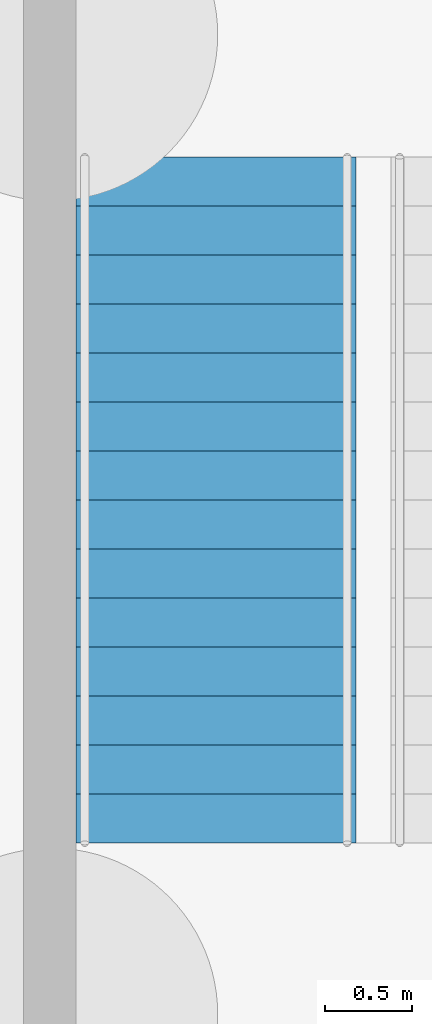
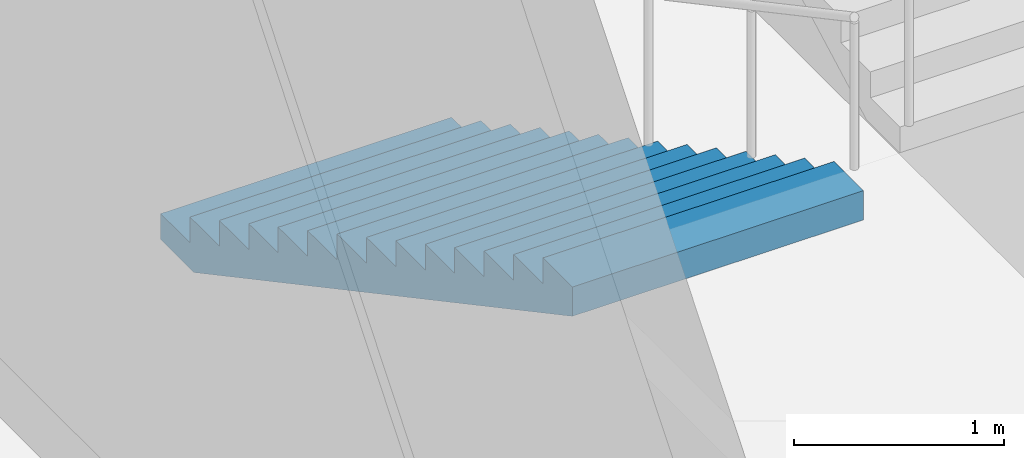
# One storey, part 88 of 113: 1 stair flight, 1 element without a shape of its own.
"""IFC4 building model written with IfcOpenShell, lengths in metres."""

from ifc_helpers import new_model, si_unit, direction, frame, origin, place, context, subcontext, project, spatial, triangles, material, type_object, element, aggregate, save


model = new_model("IFC4")

# Units and contexts
model_context = context("Model", 3, precision=1e-05, world=origin(), true_north=direction((0.0, 1.0)))
body_context = subcontext(model_context, "Body", "Model", "MODEL_VIEW")
ifc_project = project(units=[si_unit("LENGTHUNIT", "METRE"), si_unit("AREAUNIT", "SQUARE_METRE"), si_unit("VOLUMEUNIT", "CUBIC_METRE"), si_unit("PLANEANGLEUNIT", "RADIAN"), si_unit("MASSUNIT", "GRAM", prefix="KILO")], contexts=[model_context])

# Site, building, storey
site_placement = place(None, origin())
site = spatial("IfcSite", under=ifc_project, at=site_placement, CompositionType="ELEMENT")
building_placement = place(site_placement, origin())
building = spatial("IfcBuilding", under=site, at=building_placement, Name="Hakoniwa Tower and Hamabe Station Hall", CompositionType="ELEMENT")
storey_placement = place(building_placement, origin())
storey = spatial("IfcBuildingStorey", under=building, at=storey_placement, Name="L01", CompositionType="ELEMENT", Elevation=0.0)

# Stair, stair flight
ifc_material_1 = material(Name="Concrete C40", Category="concrete")
stair_type = type_object("IfcStairType", Name="STAIR 1600 15X150", PredefinedType="HALF_TURN_STAIR", material=ifc_material_1)
stair_placement = place(storey_placement, origin())
stair = element("IfcStair", 1, at=stair_placement, inside=storey, type_object=stair_type, Name="Escape stair SS3 L01", PredefinedType="HALF_TURN_STAIR")
ifc_material_2 = material(Name="Concrete C40", Category="concrete")
stair_flight_type = type_object("IfcStairFlightType", Name="STAIR FLIGHT 1600", PredefinedType="STRAIGHT", material=ifc_material_2)
stair_flight_placement = place(storey_placement, frame((87.449951171875, -16.89990234375, 0.0), z_axis=(0.0, 0.0, 1.0), x_axis=(0.0, -1.0, 0.0)))
stair_flight = element("IfcStairFlight", 2, at=stair_flight_placement, type_object=stair_flight_type, Name="SS3 flight 1", NumberOfRisers=15, NumberOfTreads=14, PredefinedType="STRAIGHT", RiserHeight=0.15, TreadLength=0.28, context=body_context, shape_type="Tessellation", body=[
    triangles([(0.0, 0.800048828125, 0.0), (0.280029296875, 0.800048828125, 0.0), (0.3173828125, 0.800048828125, 0.0), (0.56005859375, 0.800048828125, 0.1298828125), (0.840087890625, 0.800048828125, 0.280029296875), (1.1201171875, 0.800048828125, 0.429931640625), (1.39990234375, 0.800048828125, 0.579833984375), (1.679931640625, 0.800048828125, 0.72998046875), (1.9599609375, 0.800048828125, 0.8798828125), (2.239990234375, 0.800048828125, 1.030029296875), (2.52001953125, 0.800048828125, 1.179931640625), (2.800048828125, 0.800048828125, 1.329833984375), (3.080078125, 0.800048828125, 1.47998046875), (3.360107421875, 0.800048828125, 1.6298828125), (3.639892578125, 0.800048828125, 1.780029296875), (3.919921875, 0.800048828125, 1.929931640625), (3.919921875, 0.800048828125, 2.10009765625), (3.639892578125, 0.800048828125, 2.10009765625), (3.639892578125, 0.800048828125, 1.949951171875), (3.360107421875, 0.800048828125, 1.949951171875), (3.360107421875, 0.800048828125, 1.800048828125), (3.080078125, 0.800048828125, 1.800048828125), (3.080078125, 0.800048828125, 1.64990234375), (2.800048828125, 0.800048828125, 1.64990234375), (2.800048828125, 0.800048828125, 1.5), (2.52001953125, 0.800048828125, 1.5), (2.52001953125, 0.800048828125, 1.35009765625), (2.239990234375, 0.800048828125, 1.35009765625), (2.239990234375, 0.800048828125, 1.199951171875), (1.9599609375, 0.800048828125, 1.199951171875), (1.9599609375, 0.800048828125, 1.050048828125), (1.679931640625, 0.800048828125, 1.050048828125), (1.679931640625, 0.800048828125, 0.89990234375), (1.39990234375, 0.800048828125, 0.89990234375), (1.39990234375, 0.800048828125, 0.75), (1.1201171875, 0.800048828125, 0.75), (1.1201171875, 0.800048828125, 0.60009765625), (0.840087890625, 0.800048828125, 0.60009765625), (0.840087890625, 0.800048828125, 0.449951171875), (0.56005859375, 0.800048828125, 0.449951171875), (0.56005859375, 0.800048828125, 0.300048828125), (0.3173828125, 0.800048828125, 0.300048828125), (0.280029296875, 0.800048828125, 0.300048828125), (0.280029296875, 0.800048828125, 0.14990234375), (0.0, 0.800048828125, 0.14990234375), (0.0, 0.06005859375, 0.0), (0.280029296875, 0.06005859375, 0.0), (0.3173828125, 0.06005859375, 0.0), (0.56005859375, 0.06005859375, 0.1298828125), (0.840087890625, 0.06005859375, 0.280029296875), (1.1201171875, 0.06005859375, 0.429931640625), (1.39990234375, 0.06005859375, 0.579833984375), (1.679931640625, 0.06005859375, 0.72998046875), (1.9599609375, 0.06005859375, 0.8798828125), (2.239990234375, 0.06005859375, 1.030029296875), (2.52001953125, 0.06005859375, 1.179931640625), (2.800048828125, 0.06005859375, 1.329833984375), (3.080078125, 0.06005859375, 1.47998046875), (3.360107421875, 0.06005859375, 1.6298828125), (3.639892578125, 0.06005859375, 1.780029296875), (3.919921875, 0.06005859375, 1.929931640625), (3.919921875, 0.06005859375, 2.10009765625), (3.639892578125, 0.06005859375, 2.10009765625), (3.639892578125, 0.06005859375, 1.949951171875), (3.360107421875, 0.06005859375, 1.949951171875), (3.360107421875, 0.06005859375, 1.800048828125), (3.080078125, 0.06005859375, 1.800048828125), (3.080078125, 0.06005859375, 1.64990234375), (2.800048828125, 0.06005859375, 1.64990234375), (2.800048828125, 0.06005859375, 1.5), (2.52001953125, 0.06005859375, 1.5), (2.52001953125, 0.06005859375, 1.35009765625), (2.239990234375, 0.06005859375, 1.35009765625), (2.239990234375, 0.06005859375, 1.199951171875), (1.9599609375, 0.06005859375, 1.199951171875), (1.9599609375, 0.06005859375, 1.050048828125), (1.679931640625, 0.06005859375, 1.050048828125), (1.679931640625, 0.06005859375, 0.89990234375), (1.39990234375, 0.06005859375, 0.89990234375), (1.39990234375, 0.06005859375, 0.75), (1.1201171875, 0.06005859375, 0.75), (1.1201171875, 0.06005859375, 0.60009765625), (0.840087890625, 0.06005859375, 0.60009765625), (0.840087890625, 0.06005859375, 0.449951171875), (0.56005859375, 0.06005859375, 0.449951171875), (0.56005859375, 0.06005859375, 0.300048828125), (0.3173828125, 0.06005859375, 0.300048828125), (0.280029296875, 0.06005859375, 0.300048828125), (0.280029296875, 0.06005859375, 0.14990234375), (0.0, 0.06005859375, 0.14990234375), (0.0, 0.02001953125, 0.0), (0.280029296875, 0.02001953125, 0.0), (0.3173828125, 0.02001953125, 0.0), (0.56005859375, 0.02001953125, 0.1298828125), (0.840087890625, 0.02001953125, 0.280029296875), (1.1201171875, 0.02001953125, 0.429931640625), (1.39990234375, 0.02001953125, 0.579833984375), (1.679931640625, 0.02001953125, 0.72998046875), (1.9599609375, 0.02001953125, 0.8798828125), (2.239990234375, 0.02001953125, 1.030029296875), (2.52001953125, 0.02001953125, 1.179931640625), (2.800048828125, 0.02001953125, 1.329833984375), (3.080078125, 0.02001953125, 1.47998046875), (3.360107421875, 0.02001953125, 1.6298828125), (3.639892578125, 0.02001953125, 1.780029296875), (3.919921875, 0.02001953125, 1.929931640625), (3.919921875, 0.02001953125, 2.10009765625), (3.639892578125, 0.02001953125, 2.10009765625), (3.639892578125, 0.02001953125, 1.949951171875), (3.360107421875, 0.02001953125, 1.949951171875), (3.360107421875, 0.02001953125, 1.800048828125), (3.080078125, 0.02001953125, 1.800048828125), (3.080078125, 0.02001953125, 1.64990234375), (2.800048828125, 0.02001953125, 1.64990234375), (2.800048828125, 0.02001953125, 1.5), (2.52001953125, 0.02001953125, 1.5), (2.52001953125, 0.02001953125, 1.35009765625), (2.239990234375, 0.02001953125, 1.35009765625), (2.239990234375, 0.02001953125, 1.199951171875), (1.9599609375, 0.02001953125, 1.199951171875), (1.9599609375, 0.02001953125, 1.050048828125), (1.679931640625, 0.02001953125, 1.050048828125), (1.679931640625, 0.02001953125, 0.89990234375), (1.39990234375, 0.02001953125, 0.89990234375), (1.39990234375, 0.02001953125, 0.75), (1.1201171875, 0.02001953125, 0.75), (1.1201171875, 0.02001953125, 0.60009765625), (0.840087890625, 0.02001953125, 0.60009765625), (0.840087890625, 0.02001953125, 0.449951171875), (0.56005859375, 0.02001953125, 0.449951171875), (0.56005859375, 0.02001953125, 0.300048828125), (0.3173828125, 0.02001953125, 0.300048828125), (0.280029296875, 0.02001953125, 0.300048828125), (0.280029296875, 0.02001953125, 0.14990234375), (0.0, 0.02001953125, 0.14990234375), (0.0, -0.02001953125, 0.0), (0.280029296875, -0.02001953125, 0.0), (0.3173828125, -0.02001953125, 0.0), (0.56005859375, -0.02001953125, 0.1298828125), (0.840087890625, -0.02001953125, 0.280029296875), (1.1201171875, -0.02001953125, 0.429931640625), (1.39990234375, -0.02001953125, 0.579833984375), (1.679931640625, -0.02001953125, 0.72998046875), (1.9599609375, -0.02001953125, 0.8798828125), (2.239990234375, -0.02001953125, 1.030029296875), (2.52001953125, -0.02001953125, 1.179931640625), (2.800048828125, -0.02001953125, 1.329833984375), (3.080078125, -0.02001953125, 1.47998046875), (3.360107421875, -0.02001953125, 1.6298828125), (3.639892578125, -0.02001953125, 1.780029296875), (3.919921875, -0.02001953125, 1.929931640625), (3.919921875, -0.02001953125, 2.10009765625), (3.639892578125, -0.02001953125, 2.10009765625), (3.639892578125, -0.02001953125, 1.949951171875), (3.360107421875, -0.02001953125, 1.949951171875), (3.360107421875, -0.02001953125, 1.800048828125), (3.080078125, -0.02001953125, 1.800048828125), (3.080078125, -0.02001953125, 1.64990234375), (2.800048828125, -0.02001953125, 1.64990234375), (2.800048828125, -0.02001953125, 1.5), (2.52001953125, -0.02001953125, 1.5), (2.52001953125, -0.02001953125, 1.35009765625), (2.239990234375, -0.02001953125, 1.35009765625), (2.239990234375, -0.02001953125, 1.199951171875), (1.9599609375, -0.02001953125, 1.199951171875), (1.9599609375, -0.02001953125, 1.050048828125), (1.679931640625, -0.02001953125, 1.050048828125), (1.679931640625, -0.02001953125, 0.89990234375), (1.39990234375, -0.02001953125, 0.89990234375), (1.39990234375, -0.02001953125, 0.75), (1.1201171875, -0.02001953125, 0.75), (1.1201171875, -0.02001953125, 0.60009765625), (0.840087890625, -0.02001953125, 0.60009765625), (0.840087890625, -0.02001953125, 0.449951171875), (0.56005859375, -0.02001953125, 0.449951171875), (0.56005859375, -0.02001953125, 0.300048828125), (0.3173828125, -0.02001953125, 0.300048828125), (0.280029296875, -0.02001953125, 0.300048828125), (0.280029296875, -0.02001953125, 0.14990234375), (0.0, -0.02001953125, 0.14990234375), (0.0, -0.06005859375, 0.0), (0.280029296875, -0.06005859375, 0.0), (0.3173828125, -0.06005859375, 0.0), (0.56005859375, -0.06005859375, 0.1298828125), (0.840087890625, -0.06005859375, 0.280029296875), (1.1201171875, -0.06005859375, 0.429931640625), (1.39990234375, -0.06005859375, 0.579833984375), (1.679931640625, -0.06005859375, 0.72998046875), (1.9599609375, -0.06005859375, 0.8798828125), (2.239990234375, -0.06005859375, 1.030029296875), (2.52001953125, -0.06005859375, 1.179931640625), (2.800048828125, -0.06005859375, 1.329833984375), (3.080078125, -0.06005859375, 1.47998046875), (3.360107421875, -0.06005859375, 1.6298828125), (3.639892578125, -0.06005859375, 1.780029296875), (3.919921875, -0.06005859375, 1.929931640625), (3.919921875, -0.06005859375, 2.10009765625), (3.639892578125, -0.06005859375, 2.10009765625), (3.639892578125, -0.06005859375, 1.949951171875), (3.360107421875, -0.06005859375, 1.949951171875), (3.360107421875, -0.06005859375, 1.800048828125), (3.080078125, -0.06005859375, 1.800048828125), (3.080078125, -0.06005859375, 1.64990234375), (2.800048828125, -0.06005859375, 1.64990234375), (2.800048828125, -0.06005859375, 1.5), (2.52001953125, -0.06005859375, 1.5), (2.52001953125, -0.06005859375, 1.35009765625), (2.239990234375, -0.06005859375, 1.35009765625), (2.239990234375, -0.06005859375, 1.199951171875), (1.9599609375, -0.06005859375, 1.199951171875), (1.9599609375, -0.06005859375, 1.050048828125), (1.679931640625, -0.06005859375, 1.050048828125), (1.679931640625, -0.06005859375, 0.89990234375), (1.39990234375, -0.06005859375, 0.89990234375), (1.39990234375, -0.06005859375, 0.75), (1.1201171875, -0.06005859375, 0.75), (1.1201171875, -0.06005859375, 0.60009765625), (0.840087890625, -0.06005859375, 0.60009765625), (0.840087890625, -0.06005859375, 0.449951171875), (0.56005859375, -0.06005859375, 0.449951171875), (0.56005859375, -0.06005859375, 0.300048828125), (0.3173828125, -0.06005859375, 0.300048828125), (0.280029296875, -0.06005859375, 0.300048828125), (0.280029296875, -0.06005859375, 0.14990234375), (0.0, -0.06005859375, 0.14990234375), (0.0, -0.800048828125, 0.0), (0.280029296875, -0.800048828125, 0.0), (0.3173828125, -0.800048828125, 0.0), (0.56005859375, -0.800048828125, 0.1298828125), (0.840087890625, -0.800048828125, 0.280029296875), (1.1201171875, -0.800048828125, 0.429931640625), (1.39990234375, -0.800048828125, 0.579833984375), (1.679931640625, -0.800048828125, 0.72998046875), (1.9599609375, -0.800048828125, 0.8798828125), (2.239990234375, -0.800048828125, 1.030029296875), (2.52001953125, -0.800048828125, 1.179931640625), (2.800048828125, -0.800048828125, 1.329833984375), (3.080078125, -0.800048828125, 1.47998046875), (3.360107421875, -0.800048828125, 1.6298828125), (3.639892578125, -0.800048828125, 1.780029296875), (3.919921875, -0.800048828125, 1.929931640625), (3.919921875, -0.800048828125, 2.10009765625), (3.639892578125, -0.800048828125, 2.10009765625), (3.639892578125, -0.800048828125, 1.949951171875), (3.360107421875, -0.800048828125, 1.949951171875), (3.360107421875, -0.800048828125, 1.800048828125), (3.080078125, -0.800048828125, 1.800048828125), (3.080078125, -0.800048828125, 1.64990234375), (2.800048828125, -0.800048828125, 1.64990234375), (2.800048828125, -0.800048828125, 1.5), (2.52001953125, -0.800048828125, 1.5), (2.52001953125, -0.800048828125, 1.35009765625), (2.239990234375, -0.800048828125, 1.35009765625), (2.239990234375, -0.800048828125, 1.199951171875), (1.9599609375, -0.800048828125, 1.199951171875), (1.9599609375, -0.800048828125, 1.050048828125), (1.679931640625, -0.800048828125, 1.050048828125), (1.679931640625, -0.800048828125, 0.89990234375), (1.39990234375, -0.800048828125, 0.89990234375), (1.39990234375, -0.800048828125, 0.75), (1.1201171875, -0.800048828125, 0.75), (1.1201171875, -0.800048828125, 0.60009765625), (0.840087890625, -0.800048828125, 0.60009765625), (0.840087890625, -0.800048828125, 0.449951171875), (0.56005859375, -0.800048828125, 0.449951171875), (0.56005859375, -0.800048828125, 0.300048828125), (0.3173828125, -0.800048828125, 0.300048828125), (0.280029296875, -0.800048828125, 0.300048828125), (0.280029296875, -0.800048828125, 0.14990234375), (0.0, -0.800048828125, 0.14990234375)], [[2, 45, 44], [227, 269, 270], [2, 1, 45], [227, 270, 226], [3, 43, 42], [228, 267, 268], [3, 44, 43], [228, 268, 269], [3, 2, 44], [228, 269, 227], [4, 42, 41], [229, 266, 267], [4, 3, 42], [229, 267, 228], [5, 40, 39], [230, 264, 265], [5, 41, 40], [230, 265, 266], [5, 4, 41], [230, 266, 229], [6, 38, 37], [231, 262, 263], [6, 39, 38], [231, 263, 264], [6, 5, 39], [231, 264, 230], [7, 36, 35], [232, 260, 261], [7, 37, 36], [232, 261, 262], [7, 6, 37], [232, 262, 231], [8, 34, 33], [233, 258, 259], [8, 35, 34], [233, 259, 260], [8, 7, 35], [233, 260, 232], [9, 32, 31], [234, 256, 257], [9, 33, 32], [234, 257, 258], [9, 8, 33], [234, 258, 233], [10, 30, 29], [235, 254, 255], [10, 31, 30], [235, 255, 256], [10, 9, 31], [235, 256, 234], [11, 28, 27], [236, 252, 253], [11, 29, 28], [236, 253, 254], [11, 10, 29], [236, 254, 235], [12, 26, 25], [237, 250, 251], [12, 27, 26], [237, 251, 252], [12, 11, 27], [237, 252, 236], [13, 24, 23], [238, 248, 249], [13, 25, 24], [238, 249, 250], [13, 12, 25], [238, 250, 237], [14, 22, 21], [239, 246, 247], [14, 23, 22], [239, 247, 248], [14, 13, 23], [239, 248, 238], [15, 20, 19], [240, 244, 245], [15, 21, 20], [240, 245, 246], [15, 14, 21], [240, 246, 239], [16, 18, 17], [241, 242, 243], [16, 19, 18], [241, 243, 244], [16, 15, 19], [241, 244, 240], [1, 2, 47], [1, 47, 46], [46, 47, 92], [46, 92, 91], [91, 92, 137], [91, 137, 136], [136, 137, 182], [136, 182, 181], [181, 182, 227], [181, 227, 226], [2, 3, 48], [2, 48, 47], [47, 48, 93], [47, 93, 92], [92, 93, 138], [92, 138, 137], [137, 138, 183], [137, 183, 182], [182, 183, 228], [182, 228, 227], [3, 4, 49], [3, 49, 48], [48, 49, 94], [48, 94, 93], [93, 94, 139], [93, 139, 138], [138, 139, 184], [138, 184, 183], [183, 184, 229], [183, 229, 228], [4, 5, 50], [4, 50, 49], [49, 50, 95], [49, 95, 94], [94, 95, 140], [94, 140, 139], [139, 140, 185], [139, 185, 184], [184, 185, 230], [184, 230, 229], [5, 6, 51], [5, 51, 50], [50, 51, 96], [50, 96, 95], [95, 96, 141], [95, 141, 140], [140, 141, 186], [140, 186, 185], [185, 186, 231], [185, 231, 230], [6, 7, 52], [6, 52, 51], [51, 52, 97], [51, 97, 96], [96, 97, 142], [96, 142, 141], [141, 142, 187], [141, 187, 186], [186, 187, 232], [186, 232, 231], [7, 8, 53], [7, 53, 52], [52, 53, 98], [52, 98, 97], [97, 98, 143], [97, 143, 142], [142, 143, 188], [142, 188, 187], [187, 188, 233], [187, 233, 232], [8, 9, 54], [8, 54, 53], [53, 54, 99], [53, 99, 98], [98, 99, 144], [98, 144, 143], [143, 144, 189], [143, 189, 188], [188, 189, 234], [188, 234, 233], [9, 10, 55], [9, 55, 54], [54, 55, 100], [54, 100, 99], [99, 100, 145], [99, 145, 144], [144, 145, 190], [144, 190, 189], [189, 190, 235], [189, 235, 234], [10, 11, 56], [10, 56, 55], [55, 56, 101], [55, 101, 100], [100, 101, 146], [100, 146, 145], [145, 146, 191], [145, 191, 190], [190, 191, 236], [190, 236, 235], [11, 12, 57], [11, 57, 56], [56, 57, 102], [56, 102, 101], [101, 102, 147], [101, 147, 146], [146, 147, 192], [146, 192, 191], [191, 192, 237], [191, 237, 236], [12, 13, 58], [12, 58, 57], [57, 58, 103], [57, 103, 102], [102, 103, 148], [102, 148, 147], [147, 148, 193], [147, 193, 192], [192, 193, 238], [192, 238, 237], [13, 14, 59], [13, 59, 58], [58, 59, 104], [58, 104, 103], [103, 104, 149], [103, 149, 148], [148, 149, 194], [148, 194, 193], [193, 194, 239], [193, 239, 238], [14, 15, 60], [14, 60, 59], [59, 60, 105], [59, 105, 104], [104, 105, 150], [104, 150, 149], [149, 150, 195], [149, 195, 194], [194, 195, 240], [194, 240, 239], [15, 16, 61], [15, 61, 60], [60, 61, 106], [60, 106, 105], [105, 106, 151], [105, 151, 150], [150, 151, 196], [150, 196, 195], [195, 196, 241], [195, 241, 240], [16, 17, 62], [16, 62, 61], [61, 62, 107], [61, 107, 106], [106, 107, 152], [106, 152, 151], [151, 152, 197], [151, 197, 196], [196, 197, 242], [196, 242, 241], [17, 18, 63], [17, 63, 62], [62, 63, 108], [62, 108, 107], [107, 108, 153], [107, 153, 152], [152, 153, 198], [152, 198, 197], [197, 198, 243], [197, 243, 242], [18, 19, 64], [18, 64, 63], [63, 64, 109], [63, 109, 108], [108, 109, 154], [108, 154, 153], [153, 154, 199], [153, 199, 198], [198, 199, 244], [198, 244, 243], [19, 20, 65], [19, 65, 64], [64, 65, 110], [64, 110, 109], [109, 110, 155], [109, 155, 154], [154, 155, 200], [154, 200, 199], [199, 200, 245], [199, 245, 244], [20, 21, 66], [20, 66, 65], [65, 66, 111], [65, 111, 110], [110, 111, 156], [110, 156, 155], [155, 156, 201], [155, 201, 200], [200, 201, 246], [200, 246, 245], [21, 22, 67], [21, 67, 66], [66, 67, 112], [66, 112, 111], [111, 112, 157], [111, 157, 156], [156, 157, 202], [156, 202, 201], [201, 202, 247], [201, 247, 246], [22, 23, 68], [22, 68, 67], [67, 68, 113], [67, 113, 112], [112, 113, 158], [112, 158, 157], [157, 158, 203], [157, 203, 202], [202, 203, 248], [202, 248, 247], [23, 24, 69], [23, 69, 68], [68, 69, 114], [68, 114, 113], [113, 114, 159], [113, 159, 158], [158, 159, 204], [158, 204, 203], [203, 204, 249], [203, 249, 248], [24, 25, 70], [24, 70, 69], [69, 70, 115], [69, 115, 114], [114, 115, 160], [114, 160, 159], [159, 160, 205], [159, 205, 204], [204, 205, 250], [204, 250, 249], [25, 26, 71], [25, 71, 70], [70, 71, 116], [70, 116, 115], [115, 116, 161], [115, 161, 160], [160, 161, 206], [160, 206, 205], [205, 206, 251], [205, 251, 250], [26, 27, 72], [26, 72, 71], [71, 72, 117], [71, 117, 116], [116, 117, 162], [116, 162, 161], [161, 162, 207], [161, 207, 206], [206, 207, 252], [206, 252, 251], [27, 28, 73], [27, 73, 72], [72, 73, 118], [72, 118, 117], [117, 118, 163], [117, 163, 162], [162, 163, 208], [162, 208, 207], [207, 208, 253], [207, 253, 252], [28, 29, 74], [28, 74, 73], [73, 74, 119], [73, 119, 118], [118, 119, 164], [118, 164, 163], [163, 164, 209], [163, 209, 208], [208, 209, 254], [208, 254, 253], [29, 30, 75], [29, 75, 74], [74, 75, 120], [74, 120, 119], [119, 120, 165], [119, 165, 164], [164, 165, 210], [164, 210, 209], [209, 210, 255], [209, 255, 254], [30, 31, 76], [30, 76, 75], [75, 76, 121], [75, 121, 120], [120, 121, 166], [120, 166, 165], [165, 166, 211], [165, 211, 210], [210, 211, 256], [210, 256, 255], [31, 32, 77], [31, 77, 76], [76, 77, 122], [76, 122, 121], [121, 122, 167], [121, 167, 166], [166, 167, 212], [166, 212, 211], [211, 212, 257], [211, 257, 256], [32, 33, 78], [32, 78, 77], [77, 78, 123], [77, 123, 122], [122, 123, 168], [122, 168, 167], [167, 168, 213], [167, 213, 212], [212, 213, 258], [212, 258, 257], [33, 34, 79], [33, 79, 78], [78, 79, 124], [78, 124, 123], [123, 124, 169], [123, 169, 168], [168, 169, 214], [168, 214, 213], [213, 214, 259], [213, 259, 258], [34, 35, 80], [34, 80, 79], [79, 80, 125], [79, 125, 124], [124, 125, 170], [124, 170, 169], [169, 170, 215], [169, 215, 214], [214, 215, 260], [214, 260, 259], [35, 36, 81], [35, 81, 80], [80, 81, 126], [80, 126, 125], [125, 126, 171], [125, 171, 170], [170, 171, 216], [170, 216, 215], [215, 216, 261], [215, 261, 260], [36, 37, 82], [36, 82, 81], [81, 82, 127], [81, 127, 126], [126, 127, 172], [126, 172, 171], [171, 172, 217], [171, 217, 216], [216, 217, 262], [216, 262, 261], [37, 38, 83], [37, 83, 82], [82, 83, 128], [82, 128, 127], [127, 128, 173], [127, 173, 172], [172, 173, 218], [172, 218, 217], [217, 218, 263], [217, 263, 262], [38, 39, 84], [38, 84, 83], [83, 84, 129], [83, 129, 128], [128, 129, 174], [128, 174, 173], [173, 174, 219], [173, 219, 218], [218, 219, 264], [218, 264, 263], [39, 40, 85], [39, 85, 84], [84, 85, 130], [84, 130, 129], [129, 130, 175], [129, 175, 174], [174, 175, 220], [174, 220, 219], [219, 220, 265], [219, 265, 264], [40, 41, 86], [40, 86, 85], [85, 86, 131], [85, 131, 130], [130, 131, 176], [130, 176, 175], [175, 176, 221], [175, 221, 220], [220, 221, 266], [220, 266, 265], [41, 42, 87], [41, 87, 86], [86, 87, 132], [86, 132, 131], [131, 132, 177], [131, 177, 176], [176, 177, 222], [176, 222, 221], [221, 222, 267], [221, 267, 266], [42, 43, 88], [42, 88, 87], [87, 88, 133], [87, 133, 132], [132, 133, 178], [132, 178, 177], [177, 178, 223], [177, 223, 222], [222, 223, 268], [222, 268, 267], [43, 44, 89], [43, 89, 88], [88, 89, 134], [88, 134, 133], [133, 134, 179], [133, 179, 178], [178, 179, 224], [178, 224, 223], [223, 224, 269], [223, 269, 268], [44, 45, 90], [44, 90, 89], [89, 90, 135], [89, 135, 134], [134, 135, 180], [134, 180, 179], [179, 180, 225], [179, 225, 224], [224, 225, 270], [224, 270, 269], [45, 1, 46], [45, 46, 90], [90, 46, 91], [90, 91, 135], [135, 91, 136], [135, 136, 180], [180, 136, 181], [180, 181, 225], [225, 181, 226], [225, 226, 270]], closed=True),
])
aggregate(stair, [stair_flight])

save(model, "model.ifc")
